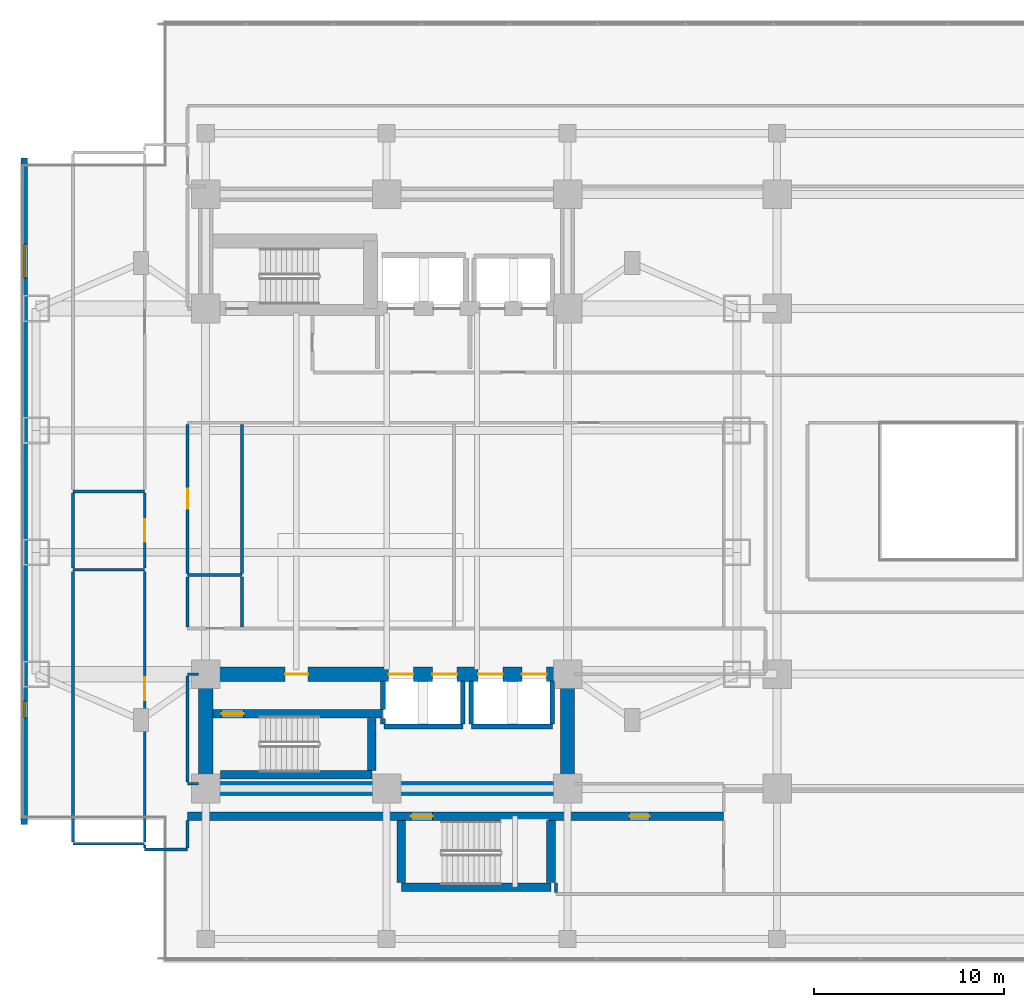
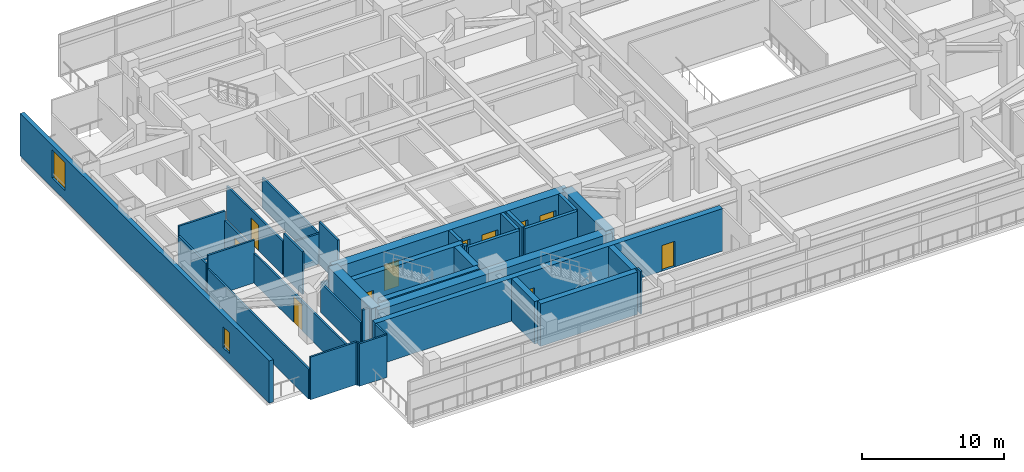
# One storey, part 12 of 26: 38 walls, 11 doors, 2 windows, 13 openings.
"""IFC4 building model written with IfcOpenShell, lengths in metres."""

from ifc_helpers import new_model, si_unit, direction, frame, frame_2d, origin, place, context, subcontext, project, spatial, rectangle, extrude, material, layer, layer_set, type_object, element, fill, save


model = new_model("IFC4")

# Units and contexts
model_context = context("Model", 3, precision=1e-05, world=origin(), true_north=direction((0.0, 1.0)))
body_context = subcontext(model_context, "Body", "Model", "MODEL_VIEW")
ifc_project = project(units=[si_unit("LENGTHUNIT", "METRE"), si_unit("AREAUNIT", "SQUARE_METRE"), si_unit("VOLUMEUNIT", "CUBIC_METRE"), si_unit("PLANEANGLEUNIT", "RADIAN"), si_unit("MASSUNIT", "GRAM", prefix="KILO")], contexts=[model_context])

# Site, building, storey
site_placement = place(None, origin())
site = spatial("IfcSite", under=ifc_project, at=site_placement, CompositionType="ELEMENT")
building_placement = place(site_placement, origin())
building = spatial("IfcBuilding", under=site, at=building_placement, Name="Mirazonda Arch Towers", CompositionType="ELEMENT")
storey_placement = place(building_placement, frame((0.0, 0.0, 13.800048828125)))
storey = spatial("IfcBuildingStorey", under=building, at=storey_placement, Name="L03", CompositionType="ELEMENT", Elevation=13.800048828125)

# Wall
ifc_material_1 = material(Name="Concrete C50/60", Category="concrete")
ifc_layer_1 = layer(ifc_material_1, 0.449951171875, Name="WALL-CORE-450")
ifc_layer_set_1 = layer_set([ifc_layer_1], Name="Concrete C50/60")
wall_type_1 = type_object("IfcWallType", Name="WALL-CORE-450", PredefinedType="SHEAR", material=ifc_layer_set_1)
wall_1_placement = place(storey_placement, frame((21.27001953125, 7.219970703125, 0.0), z_axis=(0.0, 0.0, 1.0), x_axis=(1.0, 0.0, 0.0)))
element("IfcWall", 1, at=wall_1_placement, inside=storey, type_object=wall_type_1, Name="L03 Stair Core Shear Wall 003", PredefinedType="SHEAR", context=body_context, shape_type="SweptSolid", body=[
    extrude(rectangle(XDim=7.85986328125, YDim=0.449951171875, at=frame_2d((3.929931640625, 0.0))), origin(), (0.0, 0.0, 1.0), 3.64990234375),
])

# Wall, openings, doors
wall_2_placement = place(storey_placement, frame((10.050048828125, 10.949951171875, 0.0), z_axis=(0.0, 0.0, 1.0), x_axis=(1.0, 0.0, 0.0)))
wall_2 = element("IfcWall", 2, at=wall_2_placement, inside=storey, type_object=wall_type_1, Name="L03 Stair Core Shear Wall 008", PredefinedType="SHEAR", context=body_context, shape_type="SweptSolid", body=[
    extrude(rectangle(XDim=28.14990234375, YDim=0.449951171875, at=frame_2d((14.074951171875, 0.0))), origin(), (0.0, 0.0, 1.0), 3.64990234375),
])
opening_1_placement = place(wall_2_placement, frame((11.719970703125, 0.0, 0.0)))
opening_1 = element("IfcOpeningElement", 3, at=opening_1_placement, cuts=wall_2, Name="Opening DR-135", PredefinedType="OPENING", context=body_context, shape_type="SweptSolid", body=[
    extrude(rectangle(XDim=1.14990234375, YDim=2.199951171875, at=frame_2d((0.574951171875, 1.10009765625))), frame((0.0, 0.23486328125, 0.0), z_axis=(0.0, -1.0, 0.0), x_axis=(1.0, 0.0, 0.0)), (0.0, 0.0, 1.0), 0.469970703125),
])
opening_2_placement = place(wall_2_placement, frame((23.205078125, 0.0, 0.0)))
opening_2 = element("IfcOpeningElement", 4, at=opening_2_placement, cuts=wall_2, Name="Opening DR-121", PredefinedType="OPENING", context=body_context, shape_type="SweptSolid", body=[
    extrude(rectangle(XDim=1.050048828125, YDim=2.199951171875, at=frame_2d((0.52490234375, 1.10009765625))), frame((0.0, 0.23486328125, 0.0), z_axis=(0.0, -1.0, 0.0), x_axis=(1.0, 0.0, 0.0)), (0.0, 0.0, 1.0), 0.469970703125),
])
ifc_material_2 = material(Name="Architectural Brushed Steel S355", Category="steel")
door_type_1 = type_object("IfcDoorType", Name="DOOR-STAIR-FD90-1150", OperationType="NOTDEFINED", PredefinedType="DOOR", material=ifc_material_2)
door_1_placement = place(opening_1_placement, origin())
door_1 = element("IfcDoor", 5, at=door_1_placement, inside=storey, type_object=door_type_1, Name="L03 Protected Podium Stair West Door", OperationType="SINGLE_SWING_RIGHT", OverallHeight=2.199951171875, OverallWidth=1.14990234375, PredefinedType="DOOR", context=body_context, shape_type="SweptSolid", body=[
    extrude(rectangle(XDim=1.14990234375, YDim=2.199951171875, at=frame_2d((0.574951171875, 1.10009765625))), frame((0.0, 0.02490234375, 0.0), z_axis=(0.0, -1.0, 0.0), x_axis=(1.0, 0.0, 0.0)), (0.0, 0.0, 1.0), 0.050048828125),
])
fill(opening_1, door_1)
door_type_2 = type_object("IfcDoorType", Name="DOOR-SUITE-FD60-1050", OperationType="NOTDEFINED", PredefinedType="DOOR", material=ifc_material_2)
door_2_placement = place(opening_2_placement, origin())
door_2 = element("IfcDoor", 6, at=door_2_placement, inside=storey, type_object=door_type_2, Name="L03 L03 South-West Suite Door", OperationType="SINGLE_SWING_RIGHT", OverallHeight=2.199951171875, OverallWidth=1.050048828125, PredefinedType="DOOR", context=body_context, shape_type="SweptSolid", body=[
    extrude(rectangle(XDim=1.050048828125, YDim=2.199951171875, at=frame_2d((0.52490234375, 1.10009765625))), frame((0.0, 0.02490234375, 0.0), z_axis=(0.0, -1.0, 0.0), x_axis=(1.0, 0.0, 0.0)), (0.0, 0.0, 1.0), 0.050048828125),
])
fill(opening_2, door_2)

# Wall
wall_3_placement = place(storey_placement, frame((11.764892578125, 13.1201171875, 0.0), z_axis=(0.0, 0.0, 1.0), x_axis=(1.0, 0.0, 0.0)))
element("IfcWall", 7, at=wall_3_placement, inside=storey, type_object=wall_type_1, Name="L03 Stair Core Shear Wall 015", PredefinedType="SHEAR", context=body_context, shape_type="SweptSolid", body=[
    extrude(rectangle(XDim=7.965087890625, YDim=0.449951171875, at=frame_2d((3.982421875, 0.0))), origin(), (0.0, 0.0, 1.0), 3.64990234375),
])

# Wall, opening, door
wall_4_placement = place(storey_placement, frame((11.3701171875, 16.320068359375, 0.0), z_axis=(0.0, 0.0, 1.0), x_axis=(1.0, 0.0, 0.0)))
wall_4 = element("IfcWall", 8, at=wall_4_placement, inside=storey, type_object=wall_type_1, Name="L03 Stair Core Shear Wall 018", PredefinedType="SHEAR", context=body_context, shape_type="SweptSolid", body=[
    extrude(rectangle(XDim=8.909912109375, YDim=0.449951171875, at=frame_2d((4.455078125, 0.0))), origin(), (0.0, 0.0, 1.0), 3.64990234375),
])
opening_3_placement = place(wall_4_placement, frame((0.469970703125, 0.0, 0.0)))
opening_3 = element("IfcOpeningElement", 9, at=opening_3_placement, cuts=wall_4, Name="Opening DR-135", PredefinedType="OPENING", context=body_context, shape_type="SweptSolid", body=[
    extrude(rectangle(XDim=1.14990234375, YDim=2.199951171875, at=frame_2d((0.574951171875, 1.10009765625))), frame((0.0, 0.23486328125, 0.0), z_axis=(0.0, -1.0, 0.0), x_axis=(1.0, 0.0, 0.0)), (0.0, 0.0, 1.0), 0.469970703125),
])
door_3_placement = place(opening_3_placement, origin())
door_3 = element("IfcDoor", 10, at=door_3_placement, inside=storey, type_object=door_type_1, Name="L03 Protected Exit Stair South Door", OperationType="SINGLE_SWING_LEFT", OverallHeight=2.199951171875, OverallWidth=1.14990234375, PredefinedType="DOOR", context=body_context, shape_type="SweptSolid", body=[
    extrude(rectangle(XDim=1.14990234375, YDim=2.199951171875, at=frame_2d((0.574951171875, 1.10009765625))), frame((0.0, 0.02490234375, 0.0), z_axis=(0.0, -1.0, 0.0), x_axis=(1.0, 0.0, 0.0)), (0.0, 0.0, 1.0), 0.050048828125),
])
fill(opening_3, door_3)

# Walls
wall_5_placement = place(storey_placement, frame((19.72998046875, 13.35498046875, 0.0), z_axis=(0.0, 0.0, 1.0), x_axis=(0.0, 1.0, 0.0)))
element("IfcWall", 11, at=wall_5_placement, inside=storey, type_object=wall_type_1, Name="L03 Stair Core Shear Wall 079", PredefinedType="SHEAR", context=body_context, shape_type="SweptSolid", body=[
    extrude(rectangle(XDim=2.72998046875, YDim=0.449951171875, at=frame_2d((1.364990234375, 0.0))), origin(), (0.0, 0.0, 1.0), 3.64990234375),
])
for number, where, z_axis, x_axis, name in (
    (12, (21.27001953125, 7.455078125, 0.0), (0.0, 0.0, 1.0), (0.0, 1.0, 0.0), "L03 Stair Core Shear Wall 083"),
    (13, (29.1298828125, 7.455078125, 0.0), (0.0, 0.0, 1.0), (0.0, 1.0, 0.0), "L03 Stair Core Shear Wall 090"),
):
    element("IfcWall", number, at=place(storey_placement, frame(where, z_axis=z_axis, x_axis=x_axis)), inside=storey, type_object=wall_type_1, Name=name, PredefinedType="SHEAR", context=body_context, shape_type="SweptSolid", body=[
        extrude(rectangle(XDim=3.260009765625, YDim=0.449951171875, at=frame_2d((1.6298828125, 0.0))), origin(), (0.0, 0.0, 1.0), 3.64990234375),
    ])
ifc_material_3 = material(Name="Concrete C60/75", Category="concrete")
ifc_layer_2 = layer(ifc_material_3, 0.75, Name="WALL-CORE-750")
ifc_layer_set_2 = layer_set([ifc_layer_2], Name="Concrete C60/75")
wall_type_2 = type_object("IfcWallType", Name="WALL-CORE-750", PredefinedType="SHEAR", material=ifc_layer_set_2)
wall_6_placement = place(storey_placement, frame((11.0, 12.39990234375, 0.0), z_axis=(0.0, 0.0, 1.0), x_axis=(1.0, 0.0, 0.0)))
element("IfcWall", 14, at=wall_6_placement, inside=storey, type_object=wall_type_2, Name="L03 T1S-S Core Shear Wall", PredefinedType="SHEAR", context=body_context, shape_type="SweptSolid", body=[
    extrude(rectangle(XDim=19.0, YDim=0.75, at=frame_2d((9.5, 0.0))), origin(), (0.0, 0.0, 1.0), 3.64990234375),
])
for number, where, z_axis, x_axis, name in (
    (15, (11.0, 12.39990234375, 0.0), (0.0, 0.0, 1.0), (0.0, 1.0, 0.0), "L03 T1S-W Core Shear Wall"),
    (16, (30.0, 12.39990234375, 0.0), (0.0, 0.0, 1.0), (0.0, 1.0, 0.0), "L03 T1S-E Core Shear Wall"),
):
    element("IfcWall", number, at=place(storey_placement, frame(where, z_axis=z_axis, x_axis=x_axis)), inside=storey, type_object=wall_type_2, Name=name, PredefinedType="SHEAR", context=body_context, shape_type="SweptSolid", body=[
        extrude(rectangle(XDim=6.0, YDim=0.75, at=frame_2d((3.0, 0.0))), origin(), (0.0, 0.0, 1.0), 3.64990234375),
    ])

# Wall, openings, doors
wall_7_placement = place(storey_placement, frame((11.0, 18.39990234375, 0.0), z_axis=(0.0, 0.0, 1.0), x_axis=(1.0, 0.0, 0.0)))
wall_7 = element("IfcWall", 17, at=wall_7_placement, inside=storey, type_object=wall_type_2, Name="L03 T1S-N Core Shear Wall", PredefinedType="SHEAR", context=body_context, shape_type="SweptSolid", body=[
    extrude(rectangle(XDim=19.0, YDim=0.75, at=frame_2d((9.5, 0.0))), origin(), (0.0, 0.0, 1.0), 3.64990234375),
])
opening_4_placement = place(wall_7_placement, frame((4.175048828125, 0.0, 0.0)))
opening_4 = element("IfcOpeningElement", 18, at=opening_4_placement, cuts=wall_7, Name="Opening DR-117", PredefinedType="OPENING", context=body_context, shape_type="SweptSolid", body=[
    extrude(rectangle(XDim=1.199951171875, YDim=2.25, at=frame_2d((0.60009765625, 1.125))), frame((0.0, 0.385009765625, 0.0), z_axis=(0.0, -1.0, 0.0), x_axis=(1.0, 0.0, 0.0)), (0.0, 0.0, 1.0), 0.77001953125),
])
opening_5_placement = place(wall_7_placement, frame((9.60009765625, 0.0, 0.0)))
opening_5 = element("IfcOpeningElement", 19, at=opening_5_placement, cuts=wall_7, Name="Opening LD-111", PredefinedType="OPENING", context=body_context, shape_type="SweptSolid", body=[
    extrude(rectangle(XDim=1.300048828125, YDim=2.300048828125, at=frame_2d((0.64990234375, 1.14990234375))), frame((0.0, 0.385009765625, 0.0), z_axis=(0.0, -1.0, 0.0), x_axis=(1.0, 0.0, 0.0)), (0.0, 0.0, 1.0), 0.77001953125),
])
opening_6_placement = place(wall_7_placement, frame((11.89990234375, 0.0, 0.0)))
opening_6 = element("IfcOpeningElement", 20, at=opening_6_placement, cuts=wall_7, Name="Opening LD-111", PredefinedType="OPENING", context=body_context, shape_type="SweptSolid", body=[
    extrude(rectangle(XDim=1.300048828125, YDim=2.300048828125, at=frame_2d((0.64990234375, 1.14990234375))), frame((0.0, 0.385009765625, 0.0), z_axis=(0.0, -1.0, 0.0), x_axis=(1.0, 0.0, 0.0)), (0.0, 0.0, 1.0), 0.77001953125),
])
opening_7_placement = place(wall_7_placement, frame((14.300048828125, 0.0, 0.0)))
opening_7 = element("IfcOpeningElement", 21, at=opening_7_placement, cuts=wall_7, Name="Opening LD-111", PredefinedType="OPENING", context=body_context, shape_type="SweptSolid", body=[
    extrude(rectangle(XDim=1.300048828125, YDim=2.300048828125, at=frame_2d((0.64990234375, 1.14990234375))), frame((0.0, 0.385009765625, 0.0), z_axis=(0.0, -1.0, 0.0), x_axis=(1.0, 0.0, 0.0)), (0.0, 0.0, 1.0), 0.77001953125),
])
opening_8_placement = place(wall_7_placement, frame((16.60009765625, 0.0, 0.0)))
opening_8 = element("IfcOpeningElement", 22, at=opening_8_placement, cuts=wall_7, Name="Opening LD-111", PredefinedType="OPENING", context=body_context, shape_type="SweptSolid", body=[
    extrude(rectangle(XDim=1.300048828125, YDim=2.300048828125, at=frame_2d((0.64990234375, 1.14990234375))), frame((0.0, 0.385009765625, 0.0), z_axis=(0.0, -1.0, 0.0), x_axis=(1.0, 0.0, 0.0)), (0.0, 0.0, 1.0), 0.77001953125),
])
door_type_3 = type_object("IfcDoorType", Name="DOOR-FFL-FD90-1200", OperationType="NOTDEFINED", PredefinedType="DOOR", material=ifc_material_2)
door_4_placement = place(opening_4_placement, origin())
door_4 = element("IfcDoor", 23, at=door_4_placement, inside=storey, type_object=door_type_3, Name="L03 South Core Stair & Lift Lobby Door", OperationType="SINGLE_SWING_RIGHT", OverallHeight=2.25, OverallWidth=1.199951171875, PredefinedType="DOOR", context=body_context, shape_type="SweptSolid", body=[
    extrude(rectangle(XDim=1.199951171875, YDim=2.25, at=frame_2d((0.60009765625, 1.125))), frame((0.0, 0.02490234375, 0.0), z_axis=(0.0, -1.0, 0.0), x_axis=(1.0, 0.0, 0.0)), (0.0, 0.0, 1.0), 0.050048828125),
])
fill(opening_4, door_4)
door_type_4 = type_object("IfcDoorType", Name="DOOR-LIFT-LAND-1300", OperationType="NOTDEFINED", PredefinedType="DOOR", material=ifc_material_2)
door_5_placement = place(opening_5_placement, origin())
door_5 = element("IfcDoor", 24, at=door_5_placement, inside=storey, type_object=door_type_4, Name="L03 Lift Landing Sliding Door PL-T1M1", OperationType="DOUBLE_DOOR_SLIDING", OverallHeight=2.300048828125, OverallWidth=1.300048828125, PredefinedType="DOOR", context=body_context, shape_type="SweptSolid", body=[
    extrude(rectangle(XDim=1.300048828125, YDim=2.300048828125, at=frame_2d((0.64990234375, 1.14990234375))), frame((0.0, 0.02490234375, 0.0), z_axis=(0.0, -1.0, 0.0), x_axis=(1.0, 0.0, 0.0)), (0.0, 0.0, 1.0), 0.050048828125),
])
fill(opening_5, door_5)
door_6_placement = place(opening_6_placement, origin())
door_6 = element("IfcDoor", 25, at=door_6_placement, inside=storey, type_object=door_type_4, Name="L03 Lift Landing Sliding Door PL-T1M2", OperationType="DOUBLE_DOOR_SLIDING", OverallHeight=2.300048828125, OverallWidth=1.300048828125, PredefinedType="DOOR", context=body_context, shape_type="SweptSolid", body=[
    extrude(rectangle(XDim=1.300048828125, YDim=2.300048828125, at=frame_2d((0.64990234375, 1.14990234375))), frame((0.0, 0.02490234375, 0.0), z_axis=(0.0, -1.0, 0.0), x_axis=(1.0, 0.0, 0.0)), (0.0, 0.0, 1.0), 0.050048828125),
])
fill(opening_6, door_6)
door_7_placement = place(opening_7_placement, origin())
door_7 = element("IfcDoor", 26, at=door_7_placement, inside=storey, type_object=door_type_4, Name="L03 Lift Landing Sliding Door PL-T1H1", OperationType="DOUBLE_DOOR_SLIDING", OverallHeight=2.300048828125, OverallWidth=1.300048828125, PredefinedType="DOOR", context=body_context, shape_type="SweptSolid", body=[
    extrude(rectangle(XDim=1.300048828125, YDim=2.300048828125, at=frame_2d((0.64990234375, 1.14990234375))), frame((0.0, 0.02490234375, 0.0), z_axis=(0.0, -1.0, 0.0), x_axis=(1.0, 0.0, 0.0)), (0.0, 0.0, 1.0), 0.050048828125),
])
fill(opening_7, door_7)
door_8_placement = place(opening_8_placement, origin())
door_8 = element("IfcDoor", 27, at=door_8_placement, inside=storey, type_object=door_type_4, Name="L03 Lift Landing Sliding Door PL-T1H2", OperationType="DOUBLE_DOOR_SLIDING", OverallHeight=2.300048828125, OverallWidth=1.300048828125, PredefinedType="DOOR", context=body_context, shape_type="SweptSolid", body=[
    extrude(rectangle(XDim=1.300048828125, YDim=2.300048828125, at=frame_2d((0.64990234375, 1.14990234375))), frame((0.0, 0.02490234375, 0.0), z_axis=(0.0, -1.0, 0.0), x_axis=(1.0, 0.0, 0.0)), (0.0, 0.0, 1.0), 0.050048828125),
])
fill(opening_8, door_8)

# Wall, openings, windows
ifc_material_4 = material(Name="Precast Concrete C40/50", Category="concrete")
ifc_layer_3 = layer(ifc_material_4, 0.35009765625, Name="WALL-EXT-WALL-350")
ifc_layer_set_3 = layer_set([ifc_layer_3], Name="Precast Concrete C40/50")
wall_type_3 = type_object("IfcWallType", Name="WALL-EXT-WALL-350", PredefinedType="SOLIDWALL", material=ifc_layer_set_3)
wall_8_placement = place(storey_placement, frame((1.469970703125, 45.5, 0.0), z_axis=(0.0, 0.0, 1.0), x_axis=(0.0, -1.0, 0.0)))
wall_8 = element("IfcWall", 28, at=wall_8_placement, inside=storey, type_object=wall_type_3, Name="L03 West Podium Terracotta Wall WL-L03-WW", PredefinedType="SOLIDWALL", context=body_context, shape_type="SweptSolid", body=[
    extrude(rectangle(XDim=35.0, YDim=0.35009765625, at=frame_2d((17.5, 0.0))), origin(), (0.0, 0.0, 1.0), 3.6298828125),
])
opening_9_placement = place(wall_8_placement, frame((4.5, 0.0, 0.85009765625)))
opening_9 = element("IfcOpeningElement", 29, at=opening_9_placement, cuts=wall_8, Name="Opening WN-128", PredefinedType="OPENING", context=body_context, shape_type="SweptSolid", body=[
    extrude(rectangle(XDim=1.800048828125, YDim=2.39990234375, at=frame_2d((0.89990234375, 1.199951171875))), frame((0.0, 0.18505859375, 0.0), z_axis=(0.0, -1.0, 0.0), x_axis=(1.0, 0.0, 0.0)), (0.0, 0.0, 1.0), 0.3701171875),
])
opening_10_placement = place(wall_8_placement, frame((28.5, 0.0, 0.85009765625)))
opening_10 = element("IfcOpeningElement", 30, at=opening_10_placement, cuts=wall_8, Name="Opening WN-101", PredefinedType="OPENING", context=body_context, shape_type="SweptSolid", body=[
    extrude(rectangle(XDim=0.89990234375, YDim=1.800048828125, at=frame_2d((0.449951171875, 0.89990234375))), frame((0.0, 0.18505859375, 0.0), z_axis=(0.0, -1.0, 0.0), x_axis=(1.0, 0.0, 0.0)), (0.0, 0.0, 1.0), 0.3701171875),
])
ifc_material_5 = material(Name="Insulated Low-E Solar Glass", Category="glass")
window_type_1 = type_object("IfcWindowType", Name="WIN-POD-1800x2400", PartitioningType="SINGLE_PANEL", PredefinedType="WINDOW", material=ifc_material_5)
window_1_placement = place(opening_9_placement, origin())
window_1 = element("IfcWindow", 31, at=window_1_placement, inside=storey, type_object=window_type_1, Name="L03 Punched Facade Window WN-L03-WW1", OverallHeight=2.39990234375, OverallWidth=1.800048828125, PartitioningType="SINGLE_PANEL", PredefinedType="WINDOW", context=body_context, shape_type="SweptSolid", body=[
    extrude(rectangle(XDim=1.800048828125, YDim=2.39990234375, at=frame_2d((0.89990234375, 1.199951171875))), frame((0.0, 0.030029296875, 0.0), z_axis=(0.0, -1.0, 0.0), x_axis=(1.0, 0.0, 0.0)), (0.0, 0.0, 1.0), 0.06005859375),
])
fill(opening_9, window_1)
window_type_2 = type_object("IfcWindowType", Name="WIN-STAIR-900x1800", PartitioningType="SINGLE_PANEL", PredefinedType="WINDOW", material=ifc_material_5)
window_2_placement = place(opening_10_placement, origin())
window_2 = element("IfcWindow", 32, at=window_2_placement, inside=storey, type_object=window_type_2, Name="L03 Punched Facade Window WN-L03-WW4", OverallHeight=1.800048828125, OverallWidth=0.89990234375, PartitioningType="SINGLE_PANEL", PredefinedType="WINDOW", context=body_context, shape_type="SweptSolid", body=[
    extrude(rectangle(XDim=0.89990234375, YDim=1.800048828125, at=frame_2d((0.449951171875, 0.89990234375))), frame((0.0, 0.030029296875, 0.0), z_axis=(0.0, -1.0, 0.0), x_axis=(1.0, 0.0, 0.0)), (0.0, 0.0, 1.0), 0.06005859375),
])
fill(opening_10, window_2)

# Walls
ifc_material_6 = material(Name="Fire-Rated Gypsum Stud Partition")
ifc_layer_4 = layer(ifc_material_6, 0.14990234375, Name="WALL-PART-CORR-150")
ifc_layer_set_4 = layer_set([ifc_layer_4], Name="Fire-Rated Gypsum Stud Partition")
wall_type_4 = type_object("IfcWallType", Name="WALL-PART-CORR-150", PredefinedType="PARTITIONING", material=ifc_layer_set_4)
wall_9_placement = place(storey_placement, frame((7.800048828125, 9.199951171875, 0.0), z_axis=(0.0, 0.0, 1.0), x_axis=(1.0, 0.0, 0.0)))
element("IfcWall", 33, at=wall_9_placement, inside=storey, type_object=wall_type_4, Name="L03 Interior Partition 005", PredefinedType="PARTITIONING", context=body_context, shape_type="SweptSolid", body=[
    extrude(rectangle(XDim=2.25, YDim=0.14990234375, at=frame_2d((1.125, 0.0))), origin(), (0.0, 0.0, 1.0), 3.64990234375),
])
wall_10_placement = place(storey_placement, frame((4.02490234375, 9.5, 0.0), z_axis=(0.0, 0.0, 1.0), x_axis=(1.0, 0.0, 0.0)))
element("IfcWall", 34, at=wall_10_placement, inside=storey, type_object=wall_type_4, Name="L03 Interior Partition 007", PredefinedType="PARTITIONING", context=body_context, shape_type="SweptSolid", body=[
    extrude(rectangle(XDim=3.775146484375, YDim=0.14990234375, at=frame_2d((1.8876953125, 0.0))), origin(), (0.0, 0.0, 1.0), 3.64990234375),
])
wall_11_placement = place(storey_placement, frame((10.050048828125, 12.64990234375, 0.0), z_axis=(0.0, 0.0, 1.0), x_axis=(1.0, 0.0, 0.0)))
element("IfcWall", 35, at=wall_11_placement, inside=storey, type_object=wall_type_4, Name="L03 Interior Partition 012", PredefinedType="PARTITIONING", context=body_context, shape_type="SweptSolid", body=[
    extrude(rectangle(XDim=0.579833984375, YDim=0.14990234375, at=frame_2d((0.2900390625, 0.0))), origin(), (0.0, 0.0, 1.0), 3.64990234375),
])
wall_12_placement = place(storey_placement, frame((10.050048828125, 18.39990234375, 0.0), z_axis=(0.0, 0.0, 1.0), x_axis=(1.0, 0.0, 0.0)))
element("IfcWall", 36, at=wall_12_placement, inside=storey, type_object=wall_type_4, Name="L03 Interior Partition 020", PredefinedType="PARTITIONING", context=body_context, shape_type="SweptSolid", body=[
    extrude(rectangle(XDim=0.579833984375, YDim=0.14990234375, at=frame_2d((0.2900390625, 0.0))), origin(), (0.0, 0.0, 1.0), 2.5419921875),
])
wall_13_placement = place(storey_placement, frame((10.050048828125, 23.60009765625, 0.0), z_axis=(0.0, 0.0, 1.0), x_axis=(1.0, 0.0, 0.0)))
element("IfcWall", 37, at=wall_13_placement, inside=storey, type_object=wall_type_4, Name="L03 Interior Partition 030", PredefinedType="PARTITIONING", context=body_context, shape_type="SweptSolid", body=[
    extrude(rectangle(XDim=2.849853515625, YDim=0.14990234375, at=frame_2d((1.4248046875, 0.0))), origin(), (0.0, 0.0, 1.0), 2.60205078125),
])
for number, where, z_axis, x_axis, name in (
    (38, (4.02490234375, 23.884033203125, 0.0), (0.0, 0.0, 1.0), (1.0, 0.0, 0.0), "L03 Interior Partition 031"),
    (39, (4.02490234375, 28.0, 0.0), (0.0, 0.0, 1.0), (1.0, 0.0, 0.0), "L03 Interior Partition 034"),
):
    element("IfcWall", number, at=place(storey_placement, frame(where, z_axis=z_axis, x_axis=x_axis)), inside=storey, type_object=wall_type_4, Name=name, PredefinedType="PARTITIONING", context=body_context, shape_type="SweptSolid", body=[
        extrude(rectangle(XDim=3.775146484375, YDim=0.14990234375, at=frame_2d((1.8876953125, 0.0))), origin(), (0.0, 0.0, 1.0), 3.64990234375),
    ])
wall_14_placement = place(storey_placement, frame((4.02490234375, 9.5849609375, 0.0), z_axis=(0.0, 0.0, 1.0), x_axis=(0.0, 1.0, 0.0)))
element("IfcWall", 40, at=wall_14_placement, inside=storey, type_object=wall_type_4, Name="L03 Interior Partition 061", PredefinedType="PARTITIONING", context=body_context, shape_type="SweptSolid", body=[
    extrude(rectangle(XDim=14.214111328125, YDim=0.14990234375, at=frame_2d((7.10693359375, 0.0))), origin(), (0.0, 0.0, 1.0), 2.5419921875),
])
wall_15_placement = place(storey_placement, frame((4.02490234375, 23.968994140625, 0.0), z_axis=(0.0, 0.0, 1.0), x_axis=(0.0, 1.0, 0.0)))
element("IfcWall", 41, at=wall_15_placement, inside=storey, type_object=wall_type_4, Name="L03 Interior Partition 062", PredefinedType="PARTITIONING", context=body_context, shape_type="SweptSolid", body=[
    extrude(rectangle(XDim=3.946044921875, YDim=0.14990234375, at=frame_2d((1.97314453125, 0.0))), origin(), (0.0, 0.0, 1.0), 2.868896484375),
])
wall_16_placement = place(storey_placement, frame((7.800048828125, 9.27490234375, 0.0), z_axis=(0.0, 0.0, 1.0), x_axis=(0.0, 1.0, 0.0)))
element("IfcWall", 42, at=wall_16_placement, inside=storey, type_object=wall_type_4, Name="L03 Interior Partition 064", PredefinedType="PARTITIONING", context=body_context, shape_type="SweptSolid", body=[
    extrude(rectangle(XDim=0.150146484375, YDim=0.14990234375, at=frame_2d((0.0751953125, 0.0))), origin(), (0.0, 0.0, 1.0), 3.64990234375),
])

# Wall, opening, door
wall_17_placement = place(storey_placement, frame((7.800048828125, 9.5849609375, 0.0), z_axis=(0.0, 0.0, 1.0), x_axis=(0.0, 1.0, 0.0)))
wall_17 = element("IfcWall", 43, at=wall_17_placement, inside=storey, type_object=wall_type_4, Name="L03 Interior Partition 065", PredefinedType="PARTITIONING", context=body_context, shape_type="SweptSolid", body=[
    extrude(rectangle(XDim=14.214111328125, YDim=0.14990234375, at=frame_2d((7.10693359375, 0.0))), origin(), (0.0, 0.0, 1.0), 2.5419921875),
])
opening_11_placement = place(wall_17_placement, frame((7.45703125, 0.0, 0.0)))
opening_11 = element("IfcOpeningElement", 44, at=opening_11_placement, cuts=wall_17, Name="Opening DR-117", PredefinedType="OPENING", context=body_context, shape_type="SweptSolid", body=[
    extrude(rectangle(XDim=1.199951171875, YDim=2.25, at=frame_2d((0.60009765625, 1.125))), frame((0.0, 0.0849609375, 0.0), z_axis=(0.0, -1.0, 0.0), x_axis=(1.0, 0.0, 0.0)), (0.0, 0.0, 1.0), 0.169921875),
])
door_9_placement = place(opening_11_placement, origin())
door_9 = element("IfcDoor", 45, at=door_9_placement, inside=storey, type_object=door_type_3, Name="L03 Diplomatic Summit Boardroom 1 Door", OperationType="SINGLE_SWING_RIGHT", OverallHeight=2.25, OverallWidth=1.199951171875, PredefinedType="DOOR", context=body_context, shape_type="SweptSolid", body=[
    extrude(rectangle(XDim=1.199951171875, YDim=2.25, at=frame_2d((0.60009765625, 1.125))), frame((0.0, 0.02490234375, 0.0), z_axis=(0.0, -1.0, 0.0), x_axis=(1.0, 0.0, 0.0)), (0.0, 0.0, 1.0), 0.050048828125),
])
fill(opening_11, door_9)

wall_18_placement = place(storey_placement, frame((7.800048828125, 23.968994140625, 0.0), z_axis=(0.0, 0.0, 1.0), x_axis=(0.0, 1.0, 0.0)))
wall_18 = element("IfcWall", 46, at=wall_18_placement, inside=storey, type_object=wall_type_4, Name="L03 Interior Partition 066", PredefinedType="PARTITIONING", context=body_context, shape_type="SweptSolid", body=[
    extrude(rectangle(XDim=3.946044921875, YDim=0.14990234375, at=frame_2d((1.97314453125, 0.0))), origin(), (0.0, 0.0, 1.0), 2.868896484375),
])
opening_12_placement = place(wall_18_placement, frame((1.373046875, 0.0, 0.0)))
opening_12 = element("IfcOpeningElement", 47, at=opening_12_placement, cuts=wall_18, Name="Opening DR-117", PredefinedType="OPENING", context=body_context, shape_type="SweptSolid", body=[
    extrude(rectangle(XDim=1.199951171875, YDim=2.25, at=frame_2d((0.60009765625, 1.125))), frame((0.0, 0.0849609375, 0.0), z_axis=(0.0, -1.0, 0.0), x_axis=(1.0, 0.0, 0.0)), (0.0, 0.0, 1.0), 0.169921875),
])
door_10_placement = place(opening_12_placement, origin())
door_10 = element("IfcDoor", 48, at=door_10_placement, inside=storey, type_object=door_type_3, Name="L03 Simultaneous Interpretation Salon 2 Door", OperationType="SINGLE_SWING_LEFT", OverallHeight=2.25, OverallWidth=1.199951171875, PredefinedType="DOOR", context=body_context, shape_type="SweptSolid", body=[
    extrude(rectangle(XDim=1.199951171875, YDim=2.25, at=frame_2d((0.60009765625, 1.125))), frame((0.0, 0.02490234375, 0.0), z_axis=(0.0, -1.0, 0.0), x_axis=(1.0, 0.0, 0.0)), (0.0, 0.0, 1.0), 0.050048828125),
])
fill(opening_12, door_10)

# Walls
wall_19_placement = place(storey_placement, frame((10.050048828125, 9.284912109375, 0.0), z_axis=(0.0, 0.0, 1.0), x_axis=(0.0, 1.0, 0.0)))
element("IfcWall", 49, at=wall_19_placement, inside=storey, type_object=wall_type_4, Name="L03 Interior Partition 069", PredefinedType="PARTITIONING", context=body_context, shape_type="SweptSolid", body=[
    extrude(rectangle(XDim=1.43017578125, YDim=0.14990234375, at=frame_2d((0.715087890625, 0.0))), origin(), (0.0, 0.0, 1.0), 3.64990234375),
])
wall_20_placement = place(storey_placement, frame((10.050048828125, 12.735107421875, 0.0), z_axis=(0.0, 0.0, 1.0), x_axis=(0.0, 1.0, 0.0)))
element("IfcWall", 50, at=wall_20_placement, inside=storey, type_object=wall_type_4, Name="L03 Interior Partition 070", PredefinedType="PARTITIONING", context=body_context, shape_type="SweptSolid", body=[
    extrude(rectangle(XDim=5.579833984375, YDim=0.14990234375, at=frame_2d((2.7900390625, 0.0))), origin(), (0.0, 0.0, 1.0), 2.5419921875),
])
wall_21_placement = place(storey_placement, frame((10.050048828125, 20.885009765625, 0.0), z_axis=(0.0, 0.0, 1.0), x_axis=(0.0, 1.0, 0.0)))
element("IfcWall", 51, at=wall_21_placement, inside=storey, type_object=wall_type_4, Name="L03 Interior Partition 071", PredefinedType="PARTITIONING", context=body_context, shape_type="SweptSolid", body=[
    extrude(rectangle(XDim=2.6298828125, YDim=0.14990234375, at=frame_2d((1.31494140625, 0.0))), origin(), (0.0, 0.0, 1.0), 3.64990234375),
])

# Wall, opening, door
wall_22_placement = place(storey_placement, frame((10.050048828125, 23.68505859375, 0.0), z_axis=(0.0, 0.0, 1.0), x_axis=(0.0, 1.0, 0.0)))
wall_22 = element("IfcWall", 52, at=wall_22_placement, inside=storey, type_object=wall_type_4, Name="L03 Interior Partition 072", PredefinedType="PARTITIONING", context=body_context, shape_type="SweptSolid", body=[
    extrude(rectangle(XDim=7.829833984375, YDim=0.14990234375, at=frame_2d((3.9150390625, 0.0))), origin(), (0.0, 0.0, 1.0), 2.868896484375),
])
opening_13_placement = place(wall_22_placement, frame((3.389892578125, 0.0, 0.0)))
opening_13 = element("IfcOpeningElement", 53, at=opening_13_placement, cuts=wall_22, Name="Opening DR-121", PredefinedType="OPENING", context=body_context, shape_type="SweptSolid", body=[
    extrude(rectangle(XDim=1.050048828125, YDim=2.199951171875, at=frame_2d((0.52490234375, 1.10009765625))), frame((0.0, 0.0849609375, 0.0), z_axis=(0.0, -1.0, 0.0), x_axis=(1.0, 0.0, 0.0)), (0.0, 0.0, 1.0), 0.169921875),
])
door_11_placement = place(opening_13_placement, origin())
door_11 = element("IfcDoor", 54, at=door_11_placement, inside=storey, type_object=door_type_2, Name="L03 L03 West Atrium Breakout Salon Door", OperationType="SINGLE_SWING_LEFT", OverallHeight=2.199951171875, OverallWidth=1.050048828125, PredefinedType="DOOR", context=body_context, shape_type="SweptSolid", body=[
    extrude(rectangle(XDim=1.050048828125, YDim=2.199951171875, at=frame_2d((0.52490234375, 1.10009765625))), frame((0.0, 0.02490234375, 0.0), z_axis=(0.0, -1.0, 0.0), x_axis=(1.0, 0.0, 0.0)), (0.0, 0.0, 1.0), 0.050048828125),
])
fill(opening_13, door_11)

# Walls
wall_23_placement = place(storey_placement, frame((12.89990234375, 20.885009765625, 0.0), z_axis=(0.0, 0.0, 1.0), x_axis=(0.0, 1.0, 0.0)))
element("IfcWall", 55, at=wall_23_placement, inside=storey, type_object=wall_type_4, Name="L03 Interior Partition 076", PredefinedType="PARTITIONING", context=body_context, shape_type="SweptSolid", body=[
    extrude(rectangle(XDim=2.6298828125, YDim=0.14990234375, at=frame_2d((1.31494140625, 0.0))), origin(), (0.0, 0.0, 1.0), 3.64990234375),
])
wall_24_placement = place(storey_placement, frame((12.89990234375, 23.68505859375, 0.0), z_axis=(0.0, 0.0, 1.0), x_axis=(0.0, 1.0, 0.0)))
element("IfcWall", 56, at=wall_24_placement, inside=storey, type_object=wall_type_4, Name="L03 Interior Partition 077", PredefinedType="PARTITIONING", context=body_context, shape_type="SweptSolid", body=[
    extrude(rectangle(XDim=7.829833984375, YDim=0.14990234375, at=frame_2d((3.9150390625, 0.0))), origin(), (0.0, 0.0, 1.0), 2.60205078125),
])
wall_25_placement = place(storey_placement, frame((29.39990234375, 6.93505859375, 0.0), z_axis=(0.0, 0.0, 1.0), x_axis=(0.0, 1.0, 0.0)))
element("IfcWall", 57, at=wall_25_placement, inside=storey, type_object=wall_type_4, Name="L03 Interior Partition 094", PredefinedType="PARTITIONING", context=body_context, shape_type="SweptSolid", body=[
    extrude(rectangle(XDim=0.5, YDim=0.14990234375, at=frame_2d((0.25, 0.0))), origin(), (0.0, 0.0, 1.0), 3.64990234375),
])
ifc_material_7 = material(Name="Concrete C40/50", Category="concrete")
ifc_layer_5 = layer(ifc_material_7, 0.25, Name="WALL-SHAFT-250")
ifc_layer_set_5 = layer_set([ifc_layer_5], Name="Concrete C40/50")
wall_type_5 = type_object("IfcWallType", Name="WALL-SHAFT-250", PredefinedType="SOLIDWALL", material=ifc_layer_set_5)
wall_26_placement = place(storey_placement, frame((20.35009765625, 15.64990234375, 0.0), z_axis=(0.0, 0.0, 1.0), x_axis=(1.0, 0.0, 0.0)))
element("IfcWall", 58, at=wall_26_placement, inside=storey, type_object=wall_type_5, Name="L03 Interior Partition 016", PredefinedType="SOLIDWALL", context=body_context, shape_type="SweptSolid", body=[
    extrude(rectangle(XDim=4.14990234375, YDim=0.25, at=frame_2d((2.074951171875, 0.0))), origin(), (0.0, 0.0, 1.0), 3.64990234375),
])
wall_27_placement = place(storey_placement, frame((24.949951171875, 15.64990234375, 0.0), z_axis=(0.0, 0.0, 1.0), x_axis=(1.0, 0.0, 0.0)))
element("IfcWall", 59, at=wall_27_placement, inside=storey, type_object=wall_type_5, Name="L03 Interior Partition 017", PredefinedType="SOLIDWALL", context=body_context, shape_type="SweptSolid", body=[
    extrude(rectangle(XDim=4.25, YDim=0.25, at=frame_2d((2.125, 0.0))), origin(), (0.0, 0.0, 1.0), 3.64990234375),
])
wall_28_placement = place(storey_placement, frame((20.31494140625, 15.784912109375, 0.0), z_axis=(0.0, 0.0, 1.0), x_axis=(0.0, 1.0, 0.0)))
element("IfcWall", 60, at=wall_28_placement, inside=storey, type_object=wall_type_5, Name="L03 Interior Partition 081", PredefinedType="SOLIDWALL", context=body_context, shape_type="SweptSolid", body=[
    extrude(rectangle(XDim=0.300048828125, YDim=0.25, at=frame_2d((0.14990234375, 0.0))), origin(), (0.0, 0.0, 1.0), 3.64990234375),
])
wall_29_placement = place(storey_placement, frame((20.31494140625, 16.554931640625, 0.0), z_axis=(0.0, 0.0, 1.0), x_axis=(0.0, 1.0, 0.0)))
element("IfcWall", 61, at=wall_29_placement, inside=storey, type_object=wall_type_5, Name="L03 Interior Partition 082", PredefinedType="SOLIDWALL", context=body_context, shape_type="SweptSolid", body=[
    extrude(rectangle(XDim=1.47509765625, YDim=0.25, at=frame_2d((0.737548828125, 0.0))), origin(), (0.0, 0.0, 1.0), 3.64990234375),
])
for number, where, z_axis, x_axis, name in (
    (62, (24.5, 15.784912109375, 0.0), (0.0, 0.0, 1.0), (0.0, 1.0, 0.0), "L03 Interior Partition 085"),
    (63, (24.949951171875, 15.784912109375, 0.0), (0.0, 0.0, 1.0), (0.0, 1.0, 0.0), "L03 Interior Partition 087"),
    (64, (29.199951171875, 15.784912109375, 0.0), (0.0, 0.0, 1.0), (0.0, 1.0, 0.0), "L03 Interior Partition 091"),
):
    element("IfcWall", number, at=place(storey_placement, frame(where, z_axis=z_axis, x_axis=x_axis)), inside=storey, type_object=wall_type_5, Name=name, PredefinedType="SOLIDWALL", context=body_context, shape_type="SweptSolid", body=[
        extrude(rectangle(XDim=2.2451171875, YDim=0.25, at=frame_2d((1.12255859375, 0.0))), origin(), (0.0, 0.0, 1.0), 3.64990234375),
    ])

save(model, "model.ifc")
